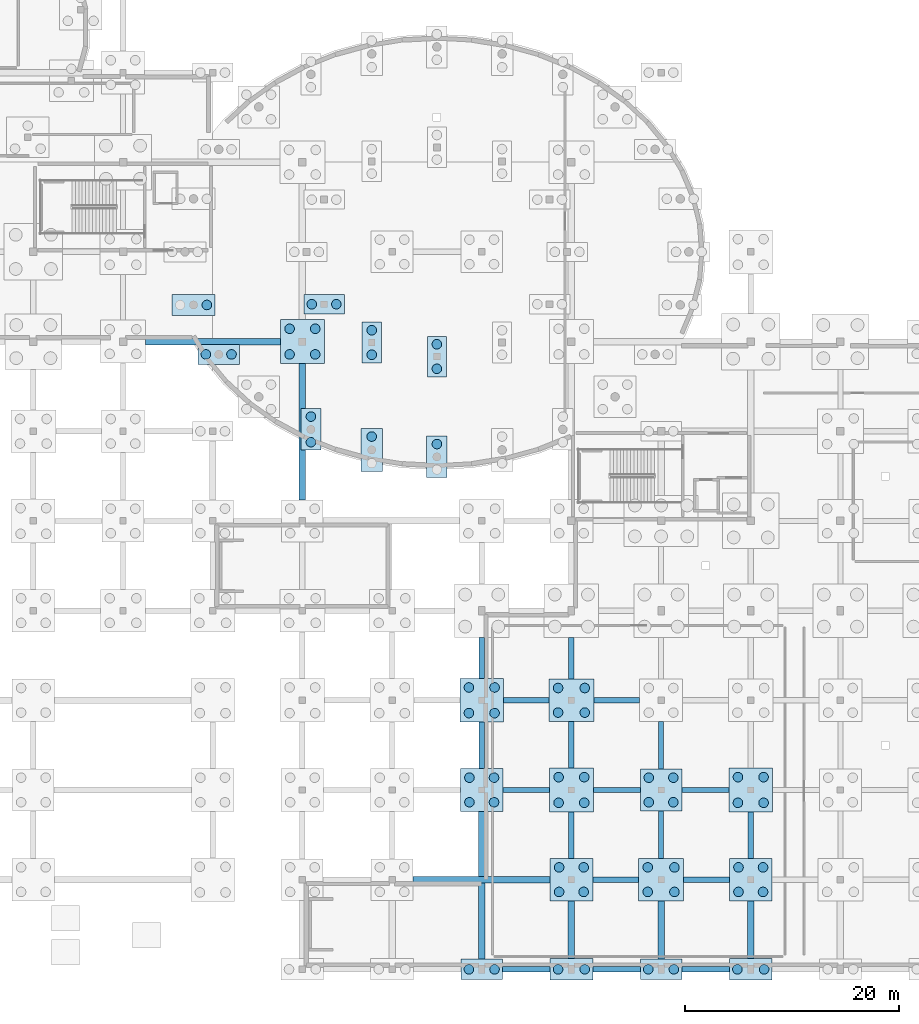
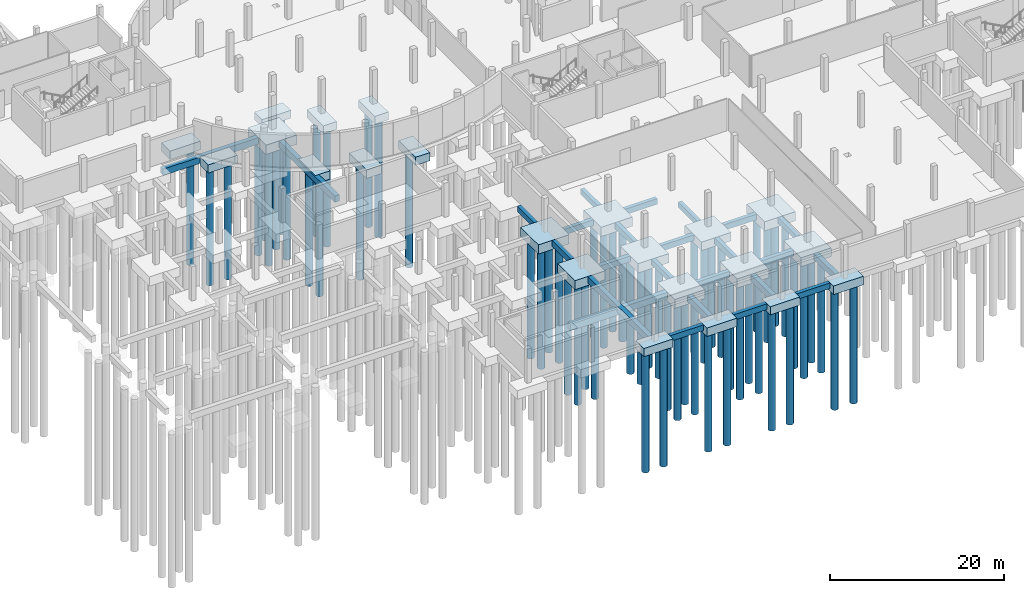
# One storey, part 3 of 24: 61 piles, 47 footings.
"""IFC4 building model written with IfcOpenShell, lengths in metres."""

from ifc_helpers import new_model, si_unit, derived_unit, direction, frame, origin, origin_2d, place, context, subcontext, project, spatial, rectangle, circle, extrude, material, layer, layer_set, material_profile, profile_set, type_object, element, save


model = new_model("IFC4")

# Units and contexts
model_context = context("Model", 3, precision=1e-05, world=origin(), true_north=direction((0.0, 1.0)))
body_context = subcontext(model_context, "Body", "Model", "MODEL_VIEW")
ifc_project = project(units=[si_unit("LENGTHUNIT", "METRE"), si_unit("AREAUNIT", "SQUARE_METRE"), si_unit("VOLUMEUNIT", "CUBIC_METRE"), si_unit("PLANEANGLEUNIT", "RADIAN"), si_unit("MASSUNIT", "GRAM", prefix="KILO"), derived_unit("THERMALTRANSMITTANCEUNIT", [(si_unit("POWERUNIT", "WATT"), 1), (si_unit("LENGTHUNIT", "METRE"), -2), (si_unit("THERMODYNAMICTEMPERATUREUNIT", "KELVIN"), -1)])], contexts=[model_context])

# Site, building, storey
site_placement = place(None, origin())
site = spatial("IfcSite", under=ifc_project, at=site_placement, CompositionType="ELEMENT")
building_placement = place(site_placement, origin())
building = spatial("IfcBuilding", under=site, at=building_placement, Name="Elbkamm Science Centre", CompositionType="ELEMENT")
storey_placement = place(building_placement, frame((0.0, 0.0, -4.800048828125)))
storey = spatial("IfcBuildingStorey", under=building, at=storey_placement, Name="B01", CompositionType="ELEMENT", Elevation=-4.800048828125)

# Footings
ifc_material = material(Name="Concrete C35/45", Category="concrete")
footing_type_1 = type_object("IfcFootingType", Name="FTG-TIE-500x800", PredefinedType="FOOTING_BEAM", material=ifc_material)
for number, where, z_axis, x_axis, name in (
    (1, (71.375, 0.0, -0.7998046875), (0.0, 0.0, 1.0), (1.0, 0.0, 0.0), "Substructure Ground Tie Beam X-003"),
    (2, (79.824951171875, 0.0, -0.7998046875), (0.0, 0.0, 1.0), (1.0, 0.0, 0.0), "Substructure Ground Tie Beam X-004"),
    (3, (88.175048828125, 0.0, -0.7998046875), (0.0, 0.0, 1.0), (1.0, 0.0, 0.0), "Substructure Ground Tie Beam X-005"),
):
    element("IfcFooting", number, at=place(storey_placement, frame(where, z_axis=z_axis, x_axis=x_axis)), inside=storey, type_object=footing_type_1, Name=name, PredefinedType="FOOTING_BEAM", context=body_context, shape_type="SweptSolid", body=[
        extrude(rectangle(XDim=4.449951171875, YDim=0.5, at=origin_2d()), origin(), (0.0, 0.0, 1.0), 0.800048828125),
    ])
for number, where, z_axis, x_axis, name in (
    (4, (79.75, 8.39990234375, -1.2998046875), (0.0, 0.0, 1.0), (1.0, 0.0, 0.0), "Substructure Ground Tie Beam X-013"),
    (5, (88.25, 8.39990234375, -1.2998046875), (0.0, 0.0, 1.0), (1.0, 0.0, 0.0), "Substructure Ground Tie Beam X-014"),
):
    element("IfcFooting", number, at=place(storey_placement, frame(where, z_axis=z_axis, x_axis=x_axis)), inside=storey, type_object=footing_type_1, Name=name, PredefinedType="FOOTING_BEAM", context=body_context, shape_type="SweptSolid", body=[
        extrude(rectangle(XDim=4.300048828125, YDim=0.5, at=origin_2d()), origin(), (0.0, 0.0, 1.0), 0.800048828125),
    ])
footing_1_placement = place(storey_placement, frame((71.375, 16.800048828125, -1.2998046875), z_axis=(0.0, 0.0, 1.0), x_axis=(1.0, 0.0, 0.0)))
element("IfcFooting", 6, at=footing_1_placement, inside=storey, type_object=footing_type_1, Name="Substructure Ground Tie Beam X-023", PredefinedType="FOOTING_BEAM", context=body_context, shape_type="SweptSolid", body=[
    extrude(rectangle(XDim=4.35009765625, YDim=0.5, at=origin_2d()), origin(), (0.0, 0.0, 1.0), 0.800048828125),
])
for number, where, z_axis, x_axis, name in (
    (7, (79.85009765625, 16.800048828125, -1.2998046875), (0.0, 0.0, 1.0), (1.0, 0.0, 0.0), "Substructure Ground Tie Beam X-024"),
    (8, (88.14990234375, 16.800048828125, -1.2998046875), (0.0, 0.0, 1.0), (1.0, 0.0, 0.0), "Substructure Ground Tie Beam X-025"),
):
    element("IfcFooting", number, at=place(storey_placement, frame(where, z_axis=z_axis, x_axis=x_axis)), inside=storey, type_object=footing_type_1, Name=name, PredefinedType="FOOTING_BEAM", context=body_context, shape_type="SweptSolid", body=[
        extrude(rectangle(XDim=4.39990234375, YDim=0.5, at=origin_2d()), origin(), (0.0, 0.0, 1.0), 0.800048828125),
    ])
footing_2_placement = place(storey_placement, frame((71.375, 25.199951171875, -1.2998046875), z_axis=(0.0, 0.0, 1.0), x_axis=(1.0, 0.0, 0.0)))
element("IfcFooting", 9, at=footing_2_placement, inside=storey, type_object=footing_type_1, Name="Substructure Ground Tie Beam X-033", PredefinedType="FOOTING_BEAM", context=body_context, shape_type="SweptSolid", body=[
    extrude(rectangle(XDim=4.25, YDim=0.5, at=origin_2d()), origin(), (0.0, 0.0, 1.0), 0.800048828125),
])
footing_3_placement = place(storey_placement, frame((79.85009765625, 25.199951171875, -1.2998046875), z_axis=(0.0, 0.0, 1.0), x_axis=(1.0, 0.0, 0.0)))
element("IfcFooting", 10, at=footing_3_placement, inside=storey, type_object=footing_type_1, Name="Substructure Ground Tie Beam X-034", PredefinedType="FOOTING_BEAM", context=body_context, shape_type="SweptSolid", body=[
    extrude(rectangle(XDim=4.300048828125, YDim=0.5, at=origin_2d()), origin(), (0.0, 0.0, 1.0), 0.800048828125),
])
footing_4_placement = place(storey_placement, frame((67.199951171875, 20.97509765625, -0.7998046875), z_axis=(0.0, 0.0, 1.0), x_axis=(1.0, 0.0, 0.0)))
element("IfcFooting", 11, at=footing_4_placement, inside=storey, type_object=footing_type_1, Name="Substructure Ground Tie Beam Y-163", PredefinedType="FOOTING_BEAM", context=body_context, shape_type="SweptSolid", body=[
    extrude(rectangle(XDim=0.5, YDim=4.35009765625, at=origin_2d()), origin(), (0.0, 0.0, 1.0), 0.800048828125),
])
footing_5_placement = place(storey_placement, frame((67.199951171875, 29.175048828125, -0.7998046875), z_axis=(0.0, 0.0, 1.0), x_axis=(1.0, 0.0, 0.0)))
element("IfcFooting", 12, at=footing_5_placement, inside=storey, type_object=footing_type_1, Name="Substructure Ground Tie Beam Y-164", PredefinedType="FOOTING_BEAM", context=body_context, shape_type="SweptSolid", body=[
    extrude(rectangle(XDim=0.5, YDim=3.85009765625, at=origin_2d()), origin(), (0.0, 0.0, 1.0), 0.800048828125),
])
for number, where, z_axis, x_axis, name in (
    (13, (75.60009765625, 12.574951171875, -1.2998046875), (0.0, 0.0, 1.0), (1.0, 0.0, 0.0), "Substructure Ground Tie Beam Y-167"),
    (14, (75.60009765625, 21.02490234375, -1.2998046875), (0.0, 0.0, 1.0), (1.0, 0.0, 0.0), "Substructure Ground Tie Beam Y-168"),
):
    element("IfcFooting", number, at=place(storey_placement, frame(where, z_axis=z_axis, x_axis=x_axis)), inside=storey, type_object=footing_type_1, Name=name, PredefinedType="FOOTING_BEAM", context=body_context, shape_type="SweptSolid", body=[
        extrude(rectangle(XDim=0.5, YDim=4.35009765625, at=origin_2d()), origin(), (0.0, 0.0, 1.0), 0.800048828125),
    ])
footing_6_placement = place(storey_placement, frame((75.60009765625, 29.14990234375, -1.2998046875), z_axis=(0.0, 0.0, 1.0), x_axis=(1.0, 0.0, 0.0)))
element("IfcFooting", 15, at=footing_6_placement, inside=storey, type_object=footing_type_1, Name="Substructure Ground Tie Beam Y-169", PredefinedType="FOOTING_BEAM", context=body_context, shape_type="SweptSolid", body=[
    extrude(rectangle(XDim=0.5, YDim=3.89990234375, at=origin_2d()), origin(), (0.0, 0.0, 1.0), 0.800048828125),
])
for number, where, z_axis, x_axis, name in (
    (16, (84.0, 12.625, -1.2998046875), (0.0, 0.0, 1.0), (1.0, 0.0, 0.0), "Substructure Ground Tie Beam Y-174"),
    (17, (84.0, 20.97509765625, -1.2998046875), (0.0, 0.0, 1.0), (1.0, 0.0, 0.0), "Substructure Ground Tie Beam Y-175"),
):
    element("IfcFooting", number, at=place(storey_placement, frame(where, z_axis=z_axis, x_axis=x_axis)), inside=storey, type_object=footing_type_1, Name=name, PredefinedType="FOOTING_BEAM", context=body_context, shape_type="SweptSolid", body=[
        extrude(rectangle(XDim=0.5, YDim=4.449951171875, at=origin_2d()), origin(), (0.0, 0.0, 1.0), 0.800048828125),
    ])
footing_7_placement = place(storey_placement, frame((92.39990234375, 12.574951171875, -1.2998046875), z_axis=(0.0, 0.0, 1.0), x_axis=(1.0, 0.0, 0.0)))
element("IfcFooting", 18, at=footing_7_placement, inside=storey, type_object=footing_type_1, Name="Substructure Ground Tie Beam Y-180", PredefinedType="FOOTING_BEAM", context=body_context, shape_type="SweptSolid", body=[
    extrude(rectangle(XDim=0.5, YDim=4.35009765625, at=origin_2d()), origin(), (0.0, 0.0, 1.0), 0.800048828125),
])
footing_type_2 = type_object("IfcFootingType", Name="FTG-TIE-600x900", PredefinedType="FOOTING_BEAM", material=ifc_material)
footing_8_placement = place(storey_placement, frame((67.175048828125, 8.39990234375, -1.39990234375), z_axis=(0.0, 0.0, 1.0), x_axis=(1.0, 0.0, 0.0)))
element("IfcFooting", 19, at=footing_8_placement, inside=storey, type_object=footing_type_2, Name="Substructure Ground Tie Beam X-012", PredefinedType="FOOTING_BEAM", context=body_context, shape_type="SweptSolid", body=[
    extrude(rectangle(XDim=12.85009765625, YDim=0.60009765625, at=origin_2d()), origin(), (0.0, 0.0, 1.0), 0.89990234375),
])
footing_9_placement = place(storey_placement, frame((42.02490234375, 58.800048828125, -1.39990234375), z_axis=(0.0, 0.0, 1.0), x_axis=(1.0, 0.0, 0.0)))
element("IfcFooting", 20, at=footing_9_placement, inside=storey, type_object=footing_type_2, Name="Substructure Ground Tie Beam X-083", PredefinedType="FOOTING_BEAM", context=body_context, shape_type="SweptSolid", body=[
    extrude(rectangle(XDim=12.64990234375, YDim=0.60009765625, at=origin_2d()), origin(), (0.0, 0.0, 1.0), 0.89990234375),
])
footing_10_placement = place(storey_placement, frame((50.39990234375, 50.35009765625, -1.39990234375), z_axis=(0.0, 0.0, 1.0), x_axis=(1.0, 0.0, 0.0)))
element("IfcFooting", 21, at=footing_10_placement, inside=storey, type_object=footing_type_2, Name="Substructure Ground Tie Beam Y-156", PredefinedType="FOOTING_BEAM", context=body_context, shape_type="SweptSolid", body=[
    extrude(rectangle(XDim=0.60009765625, YDim=12.800048828125, at=origin_2d()), origin(), (0.0, 0.0, 1.0), 0.89990234375),
])
footing_11_placement = place(storey_placement, frame((67.199951171875, 7.875, -0.89990234375), z_axis=(0.0, 0.0, 1.0), x_axis=(1.0, 0.0, 0.0)))
element("IfcFooting", 22, at=footing_11_placement, inside=storey, type_object=footing_type_2, Name="Substructure Ground Tie Beam Y-162", PredefinedType="FOOTING_BEAM", context=body_context, shape_type="SweptSolid", body=[
    extrude(rectangle(XDim=0.60009765625, YDim=13.85009765625, at=origin_2d()), origin(), (0.0, 0.0, 1.0), 0.89990234375),
])
footing_12_placement = place(storey_placement, frame((75.60009765625, 3.699951171875, -1.39990234375), z_axis=(0.0, 0.0, 1.0), x_axis=(1.0, 0.0, 0.0)))
element("IfcFooting", 23, at=footing_12_placement, inside=storey, type_object=footing_type_2, Name="Substructure Ground Tie Beam Y-166", PredefinedType="FOOTING_BEAM", context=body_context, shape_type="SweptSolid", body=[
    extrude(rectangle(XDim=0.60009765625, YDim=5.39990234375, at=origin_2d()), origin(), (0.0, 0.0, 1.0), 0.89990234375),
])
footing_13_placement = place(storey_placement, frame((84.0, 3.675048828125, -1.39990234375), z_axis=(0.0, 0.0, 1.0), x_axis=(1.0, 0.0, 0.0)))
element("IfcFooting", 24, at=footing_13_placement, inside=storey, type_object=footing_type_2, Name="Substructure Ground Tie Beam Y-173", PredefinedType="FOOTING_BEAM", context=body_context, shape_type="SweptSolid", body=[
    extrude(rectangle(XDim=0.60009765625, YDim=5.449951171875, at=origin_2d()), origin(), (0.0, 0.0, 1.0), 0.89990234375),
])
footing_14_placement = place(storey_placement, frame((92.39990234375, 3.699951171875, -1.39990234375), z_axis=(0.0, 0.0, 1.0), x_axis=(1.0, 0.0, 0.0)))
element("IfcFooting", 25, at=footing_14_placement, inside=storey, type_object=footing_type_2, Name="Substructure Ground Tie Beam Y-179", PredefinedType="FOOTING_BEAM", context=body_context, shape_type="SweptSolid", body=[
    extrude(rectangle(XDim=0.60009765625, YDim=5.39990234375, at=origin_2d()), origin(), (0.0, 0.0, 1.0), 0.89990234375),
])
ifc_layer_1 = layer(ifc_material, 1.10009765625)
ifc_layer_set_1 = layer_set([ifc_layer_1], Name="Concrete C35/45")
footing_type_3 = type_object("IfcFootingType", Name="PC-2P-180x380x110", PredefinedType="PILE_CAP", material=ifc_layer_set_1)
for number, where, z_axis, x_axis, name in (
    (26, (56.89990234375, 58.712890625, -1.60009765625), (0.0, 0.0, 1.0), (1.0, 0.0, 0.0), "Pile Cap SH-IN-09"),
    (27, (63.0, 57.39990234375, -1.60009765625), (0.0, 0.0, 1.0), (1.0, 0.0, 0.0), "Pile Cap SH-IN-10"),
):
    element("IfcFooting", number, at=place(storey_placement, frame(where, z_axis=z_axis, x_axis=x_axis)), inside=storey, type_object=footing_type_3, Name=name, PredefinedType="PILE_CAP", context=body_context, shape_type="SweptSolid", body=[
        extrude(rectangle(XDim=1.800048828125, YDim=3.800048828125, at=origin_2d()), origin(), (0.0, 0.0, 1.0), 1.10009765625),
    ])
ifc_layer_2 = layer(ifc_material, 1.14990234375)
ifc_layer_set_2 = layer_set([ifc_layer_2], Name="Concrete C35/45")
footing_type_4 = type_object("IfcFootingType", Name="PC-2P-190x390x115", PredefinedType="PILE_CAP", material=ifc_layer_set_2)
for number, where, z_axis, x_axis, name in (
    (28, (51.199951171875, 50.572021484375, -1.64990234375), (0.0, 0.0, 1.0), (1.0, 0.0, 0.0), "Pile Cap SH-OUT-17"),
    (29, (63.0, 48.0, -1.64990234375), (0.0, 0.0, 1.0), (1.0, 0.0, 0.0), "Pile Cap SH-OUT-19"),
):
    element("IfcFooting", number, at=place(storey_placement, frame(where, z_axis=z_axis, x_axis=x_axis)), inside=storey, type_object=footing_type_4, Name=name, PredefinedType="PILE_CAP", context=body_context, shape_type="SweptSolid", body=[
        extrude(rectangle(XDim=1.89990234375, YDim=3.89990234375, at=origin_2d()), origin(), (0.0, 0.0, 1.0), 1.14990234375),
    ])
ifc_layer_3 = layer(ifc_material, 1.199951171875)
ifc_layer_set_3 = layer_set([ifc_layer_3], Name="Concrete C35/45")
footing_type_5 = type_object("IfcFootingType", Name="PC-2P-200x400x120", PredefinedType="PILE_CAP", material=ifc_layer_set_3)
footing_15_placement = place(storey_placement, frame((56.89208984375, 48.654052734375, -1.69970703125), z_axis=(0.0, 0.0, 1.0), x_axis=(1.0, 0.0, 0.0)))
element("IfcFooting", 30, at=footing_15_placement, inside=storey, type_object=footing_type_5, Name="Pile Cap SH-OUT-18", PredefinedType="PILE_CAP", context=body_context, shape_type="SweptSolid", body=[
    extrude(rectangle(XDim=2.0, YDim=4.0, at=origin_2d()), origin(), (0.0, 0.0, 1.0), 1.199951171875),
])
ifc_layer_4 = layer(ifc_material, 1.10009765625)
ifc_layer_set_4 = layer_set([ifc_layer_4], Name="Concrete C35/45")
footing_type_6 = type_object("IfcFootingType", Name="PC-2P-380x180x110", PredefinedType="PILE_CAP", material=ifc_layer_set_4)
footing_16_placement = place(storey_placement, frame((52.43408203125, 62.300048828125, -1.60009765625), z_axis=(0.0, 0.0, 1.0), x_axis=(1.0, 0.0, 0.0)))
element("IfcFooting", 31, at=footing_16_placement, inside=storey, type_object=footing_type_6, Name="Pile Cap SH-IN-08", PredefinedType="PILE_CAP", context=body_context, shape_type="SweptSolid", body=[
    extrude(rectangle(XDim=3.800048828125, YDim=1.800048828125, at=origin_2d()), origin(), (0.0, 0.0, 1.0), 1.10009765625),
])
ifc_layer_5 = layer(ifc_material, 1.14990234375)
ifc_layer_set_5 = layer_set([ifc_layer_5], Name="Concrete C35/45")
footing_type_7 = type_object("IfcFootingType", Name="PC-2P-390x190x115", PredefinedType="PILE_CAP", material=ifc_layer_set_5)
for number, where, z_axis, x_axis, name in (
    (32, (42.56201171875, 57.60009765625, -1.64990234375), (0.0, 0.0, 1.0), (1.0, 0.0, 0.0), "Pile Cap SH-OUT-15"),
    (33, (67.199951171875, 0.0, -1.14990234375), (0.0, 0.0, 1.0), (1.0, 0.0, 0.0), "Pile Cap TH-PIER-S01"),
    (34, (84.0, 0.0, -1.14990234375), (0.0, 0.0, 1.0), (1.0, 0.0, 0.0), "Pile Cap TH-PIER-S03"),
):
    element("IfcFooting", number, at=place(storey_placement, frame(where, z_axis=z_axis, x_axis=x_axis)), inside=storey, type_object=footing_type_7, Name=name, PredefinedType="PILE_CAP", context=body_context, shape_type="SweptSolid", body=[
        extrude(rectangle(XDim=3.89990234375, YDim=1.89990234375, at=origin_2d()), origin(), (0.0, 0.0, 1.0), 1.14990234375),
    ])
ifc_layer_6 = layer(ifc_material, 1.199951171875)
ifc_layer_set_6 = layer_set([ifc_layer_6], Name="Concrete C35/45")
footing_type_8 = type_object("IfcFootingType", Name="PC-2P-400x200x120", PredefinedType="PILE_CAP", material=ifc_layer_set_6)
for number, where, z_axis, x_axis, name in (
    (35, (40.2041015625, 62.23095703125, -1.69970703125), (0.0, 0.0, 1.0), (1.0, 0.0, 0.0), "Pile Cap SH-OUT-14"),
    (36, (75.60009765625, 0.0, -1.19970703125), (0.0, 0.0, 1.0), (1.0, 0.0, 0.0), "Pile Cap TH-PIER-S02"),
    (37, (92.39990234375, 0.0, -1.19970703125), (0.0, 0.0, 1.0), (1.0, 0.0, 0.0), "Pile Cap TH-PIER-S04"),
):
    element("IfcFooting", number, at=place(storey_placement, frame(where, z_axis=z_axis, x_axis=x_axis)), inside=storey, type_object=footing_type_8, Name=name, PredefinedType="PILE_CAP", context=body_context, shape_type="SweptSolid", body=[
        extrude(rectangle(XDim=4.0, YDim=2.0, at=origin_2d()), origin(), (0.0, 0.0, 1.0), 1.199951171875),
    ])
ifc_layer_7 = layer(ifc_material, 1.199951171875)
ifc_layer_set_7 = layer_set([ifc_layer_7], Name="Concrete C35/45")
footing_type_9 = type_object("IfcFootingType", Name="PC-4P-390x390x120", PredefinedType="PILE_CAP", material=ifc_layer_set_7)
footing_17_placement = place(storey_placement, frame((84.0, 16.800048828125, -1.69970703125), z_axis=(0.0, 0.0, 1.0), x_axis=(1.0, 0.0, 0.0)))
element("IfcFooting", 38, at=footing_17_placement, inside=storey, type_object=footing_type_9, Name="Pile Cap GRID-11-C", PredefinedType="PILE_CAP", context=body_context, shape_type="SweptSolid", body=[
    extrude(rectangle(XDim=3.89990234375, YDim=3.89990234375, at=origin_2d()), origin(), (0.0, 0.0, 1.0), 1.199951171875),
])
ifc_layer_8 = layer(ifc_material, 1.25)
ifc_layer_set_8 = layer_set([ifc_layer_8], Name="Concrete C35/45")
footing_type_10 = type_object("IfcFootingType", Name="PC-4P-400x400x125", PredefinedType="PILE_CAP", material=ifc_layer_set_8)
for number, where, z_axis, x_axis, name in (
    (39, (67.199951171875, 16.800048828125, -1.25), (0.0, 0.0, 1.0), (1.0, 0.0, 0.0), "Pile Cap GRID-9-C"),
    (40, (75.60009765625, 8.39990234375, -1.75), (0.0, 0.0, 1.0), (1.0, 0.0, 0.0), "Pile Cap GRID-10-B"),
    (41, (92.39990234375, 8.39990234375, -1.75), (0.0, 0.0, 1.0), (1.0, 0.0, 0.0), "Pile Cap GRID-12-B"),
):
    element("IfcFooting", number, at=place(storey_placement, frame(where, z_axis=z_axis, x_axis=x_axis)), inside=storey, type_object=footing_type_10, Name=name, PredefinedType="PILE_CAP", context=body_context, shape_type="SweptSolid", body=[
        extrude(rectangle(XDim=4.0, YDim=4.0, at=origin_2d()), origin(), (0.0, 0.0, 1.0), 1.25),
    ])
ifc_layer_9 = layer(ifc_material, 1.300048828125)
ifc_layer_set_9 = layer_set([ifc_layer_9], Name="Concrete C35/45")
footing_type_11 = type_object("IfcFootingType", Name="PC-4P-410x410x130", PredefinedType="PILE_CAP", material=ifc_layer_set_9)
for number, where, z_axis, x_axis, name in (
    (42, (50.39990234375, 58.800048828125, -1.7998046875), (0.0, 0.0, 1.0), (1.0, 0.0, 0.0), "Pile Cap GRID-7-H"),
    (43, (67.199951171875, 25.199951171875, -1.2998046875), (0.0, 0.0, 1.0), (1.0, 0.0, 0.0), "Pile Cap GRID-9-D"),
    (44, (75.60009765625, 16.800048828125, -1.7998046875), (0.0, 0.0, 1.0), (1.0, 0.0, 0.0), "Pile Cap GRID-10-C"),
    (45, (92.39990234375, 16.800048828125, -1.7998046875), (0.0, 0.0, 1.0), (1.0, 0.0, 0.0), "Pile Cap GRID-12-C"),
):
    element("IfcFooting", number, at=place(storey_placement, frame(where, z_axis=z_axis, x_axis=x_axis)), inside=storey, type_object=footing_type_11, Name=name, PredefinedType="PILE_CAP", context=body_context, shape_type="SweptSolid", body=[
        extrude(rectangle(XDim=4.10009765625, YDim=4.10009765625, at=origin_2d()), origin(), (0.0, 0.0, 1.0), 1.300048828125),
    ])
ifc_layer_10 = layer(ifc_material, 1.300048828125)
ifc_layer_set_10 = layer_set([ifc_layer_10], Name="Concrete C35/45")
footing_type_12 = type_object("IfcFootingType", Name="PC-4P-420x400x130", PredefinedType="PILE_CAP", material=ifc_layer_set_10)
for number, where, z_axis, x_axis, name in (
    (46, (75.60009765625, 25.199951171875, -1.7998046875), (0.0, 0.0, 1.0), (1.0, 0.0, 0.0), "Pile Cap GRID-10-D"),
    (47, (84.0, 8.39990234375, -1.7998046875), (0.0, 0.0, 1.0), (1.0, 0.0, 0.0), "Pile Cap GRID-11-B"),
):
    element("IfcFooting", number, at=place(storey_placement, frame(where, z_axis=z_axis, x_axis=x_axis)), inside=storey, type_object=footing_type_12, Name=name, PredefinedType="PILE_CAP", context=body_context, shape_type="SweptSolid", body=[
        extrude(rectangle(XDim=4.199951171875, YDim=4.0, at=origin_2d()), origin(), (0.0, 0.0, 1.0), 1.300048828125),
    ])

# Piles
ifc_material_profile = material_profile(ifc_material, circle(Radius=0.449951171875, at=origin_2d()), Name="PILE D900")
ifc_profile_set = profile_set([ifc_material_profile], Name="Concrete C35/45")
pile_type = type_object("IfcPileType", Name="PILE-BORED-900", PredefinedType="BORED", material=ifc_profile_set)
pile_1_placement = place(storey_placement, frame((41.4541015625, 62.23095703125, -1.599853515625), z_axis=(0.0, 0.0, -1.0), x_axis=(1.0, 0.0, 0.0)))
element("IfcPile", 48, at=pile_1_placement, inside=storey, type_object=pile_type, Name="Bored Pile SH-OUT-14-2", PredefinedType="BORED", context=body_context, shape_type="SweptSolid", body=[
    extrude(circle(Radius=0.449951171875, at=origin_2d()), origin(), (0.0, 0.0, 1.0), 16.39990234375),
])
for number, where, z_axis, x_axis, name in (
    (49, (41.362060546875, 57.60009765625, -1.550048828125), (0.0, 0.0, -1.0), (1.0, 0.0, 0.0), "Bored Pile SH-OUT-15-1"),
    (50, (43.761962890625, 57.60009765625, -1.550048828125), (0.0, 0.0, -1.0), (1.0, 0.0, 0.0), "Bored Pile SH-OUT-15-2"),
    (51, (51.199951171875, 49.3720703125, -1.550048828125), (0.0, 0.0, -1.0), (1.0, 0.0, 0.0), "Bored Pile SH-OUT-17-1"),
    (52, (51.199951171875, 51.77197265625, -1.550048828125), (0.0, 0.0, -1.0), (1.0, 0.0, 0.0), "Bored Pile SH-OUT-17-2"),
):
    element("IfcPile", number, at=place(storey_placement, frame(where, z_axis=z_axis, x_axis=x_axis)), inside=storey, type_object=pile_type, Name=name, PredefinedType="BORED", context=body_context, shape_type="SweptSolid", body=[
        extrude(circle(Radius=0.449951171875, at=origin_2d()), origin(), (0.0, 0.0, 1.0), 16.449951171875),
    ])
pile_2_placement = place(storey_placement, frame((56.89208984375, 49.904052734375, -1.599853515625), z_axis=(0.0, 0.0, -1.0), x_axis=(1.0, 0.0, 0.0)))
element("IfcPile", 53, at=pile_2_placement, inside=storey, type_object=pile_type, Name="Bored Pile SH-OUT-18-2", PredefinedType="BORED", context=body_context, shape_type="SweptSolid", body=[
    extrude(circle(Radius=0.449951171875, at=origin_2d()), origin(), (0.0, 0.0, 1.0), 16.39990234375),
])
pile_3_placement = place(storey_placement, frame((63.0, 49.199951171875, -1.550048828125), z_axis=(0.0, 0.0, -1.0), x_axis=(1.0, 0.0, 0.0)))
element("IfcPile", 54, at=pile_3_placement, inside=storey, type_object=pile_type, Name="Bored Pile SH-OUT-19-2", PredefinedType="BORED", context=body_context, shape_type="SweptSolid", body=[
    extrude(circle(Radius=0.449951171875, at=origin_2d()), origin(), (0.0, 0.0, 1.0), 16.449951171875),
])
for number, where, z_axis, x_axis, name in (
    (55, (51.283935546875, 62.300048828125, -1.5), (0.0, 0.0, -1.0), (1.0, 0.0, 0.0), "Bored Pile SH-IN-08-1"),
    (56, (53.583984375, 62.300048828125, -1.5), (0.0, 0.0, -1.0), (1.0, 0.0, 0.0), "Bored Pile SH-IN-08-2"),
    (57, (56.89990234375, 57.56298828125, -1.5), (0.0, 0.0, -1.0), (1.0, 0.0, 0.0), "Bored Pile SH-IN-09-1"),
    (58, (56.89990234375, 59.863037109375, -1.5), (0.0, 0.0, -1.0), (1.0, 0.0, 0.0), "Bored Pile SH-IN-09-2"),
    (59, (63.0, 56.25, -1.5), (0.0, 0.0, -1.0), (1.0, 0.0, 0.0), "Bored Pile SH-IN-10-1"),
    (60, (63.0, 58.550048828125, -1.5), (0.0, 0.0, -1.0), (1.0, 0.0, 0.0), "Bored Pile SH-IN-10-2"),
):
    element("IfcPile", number, at=place(storey_placement, frame(where, z_axis=z_axis, x_axis=x_axis)), inside=storey, type_object=pile_type, Name=name, PredefinedType="BORED", context=body_context, shape_type="SweptSolid", body=[
        extrude(circle(Radius=0.449951171875, at=origin_2d()), origin(), (0.0, 0.0, 1.0), 16.5),
    ])
for number, where, z_axis, x_axis, name in (
    (61, (66.0, 0.0, -1.050048828125), (0.0, 0.0, -1.0), (1.0, 0.0, 0.0), "Bored Pile TH-PIER-S01-1"),
    (62, (68.39990234375, 0.0, -1.050048828125), (0.0, 0.0, -1.0), (1.0, 0.0, 0.0), "Bored Pile TH-PIER-S01-2"),
):
    element("IfcPile", number, at=place(storey_placement, frame(where, z_axis=z_axis, x_axis=x_axis)), inside=storey, type_object=pile_type, Name=name, PredefinedType="BORED", context=body_context, shape_type="SweptSolid", body=[
        extrude(circle(Radius=0.449951171875, at=origin_2d()), origin(), (0.0, 0.0, 1.0), 16.949951171875),
    ])
for number, where, z_axis, x_axis, name in (
    (63, (74.35009765625, 0.0, -1.099853515625), (0.0, 0.0, -1.0), (1.0, 0.0, 0.0), "Bored Pile TH-PIER-S02-1"),
    (64, (76.85009765625, 0.0, -1.099853515625), (0.0, 0.0, -1.0), (1.0, 0.0, 0.0), "Bored Pile TH-PIER-S02-2"),
):
    element("IfcPile", number, at=place(storey_placement, frame(where, z_axis=z_axis, x_axis=x_axis)), inside=storey, type_object=pile_type, Name=name, PredefinedType="BORED", context=body_context, shape_type="SweptSolid", body=[
        extrude(circle(Radius=0.449951171875, at=origin_2d()), origin(), (0.0, 0.0, 1.0), 16.89990234375),
    ])
for number, where, z_axis, x_axis, name in (
    (65, (82.800048828125, 0.0, -1.050048828125), (0.0, 0.0, -1.0), (1.0, 0.0, 0.0), "Bored Pile TH-PIER-S03-1"),
    (66, (85.199951171875, 0.0, -1.050048828125), (0.0, 0.0, -1.0), (1.0, 0.0, 0.0), "Bored Pile TH-PIER-S03-2"),
):
    element("IfcPile", number, at=place(storey_placement, frame(where, z_axis=z_axis, x_axis=x_axis)), inside=storey, type_object=pile_type, Name=name, PredefinedType="BORED", context=body_context, shape_type="SweptSolid", body=[
        extrude(circle(Radius=0.449951171875, at=origin_2d()), origin(), (0.0, 0.0, 1.0), 16.949951171875),
    ])
for number, where, z_axis, x_axis, name in (
    (67, (91.14990234375, 0.0, -1.099853515625), (0.0, 0.0, -1.0), (1.0, 0.0, 0.0), "Bored Pile TH-PIER-S04-1"),
    (68, (93.64990234375, 0.0, -1.099853515625), (0.0, 0.0, -1.0), (1.0, 0.0, 0.0), "Bored Pile TH-PIER-S04-2"),
):
    element("IfcPile", number, at=place(storey_placement, frame(where, z_axis=z_axis, x_axis=x_axis)), inside=storey, type_object=pile_type, Name=name, PredefinedType="BORED", context=body_context, shape_type="SweptSolid", body=[
        extrude(circle(Radius=0.449951171875, at=origin_2d()), origin(), (0.0, 0.0, 1.0), 16.89990234375),
    ])
for number, where, z_axis, x_axis, name in (
    (69, (49.199951171875, 57.60009765625, -1.699951171875), (0.0, 0.0, -1.0), (1.0, 0.0, 0.0), "Bored Pile GRID-7-H-1"),
    (70, (51.60009765625, 57.60009765625, -1.699951171875), (0.0, 0.0, -1.0), (1.0, 0.0, 0.0), "Bored Pile GRID-7-H-2"),
    (71, (49.199951171875, 60.0, -1.699951171875), (0.0, 0.0, -1.0), (1.0, 0.0, 0.0), "Bored Pile GRID-7-H-3"),
    (72, (51.60009765625, 60.0, -1.699951171875), (0.0, 0.0, -1.0), (1.0, 0.0, 0.0), "Bored Pile GRID-7-H-4"),
):
    element("IfcPile", number, at=place(storey_placement, frame(where, z_axis=z_axis, x_axis=x_axis)), inside=storey, type_object=pile_type, Name=name, PredefinedType="BORED", context=body_context, shape_type="SweptSolid", body=[
        extrude(circle(Radius=0.449951171875, at=origin_2d()), origin(), (0.0, 0.0, 1.0), 16.300048828125),
    ])
for number, where, z_axis, x_axis, name in (
    (73, (66.050048828125, 15.64990234375, -1.14990234375), (0.0, 0.0, -1.0), (1.0, 0.0, 0.0), "Bored Pile GRID-9-C-1"),
    (74, (68.35009765625, 15.64990234375, -1.14990234375), (0.0, 0.0, -1.0), (1.0, 0.0, 0.0), "Bored Pile GRID-9-C-2"),
    (75, (66.050048828125, 17.949951171875, -1.14990234375), (0.0, 0.0, -1.0), (1.0, 0.0, 0.0), "Bored Pile GRID-9-C-3"),
    (76, (68.35009765625, 17.949951171875, -1.14990234375), (0.0, 0.0, -1.0), (1.0, 0.0, 0.0), "Bored Pile GRID-9-C-4"),
):
    element("IfcPile", number, at=place(storey_placement, frame(where, z_axis=z_axis, x_axis=x_axis)), inside=storey, type_object=pile_type, Name=name, PredefinedType="BORED", context=body_context, shape_type="SweptSolid", body=[
        extrude(circle(Radius=0.449951171875, at=origin_2d()), origin(), (0.0, 0.0, 1.0), 16.85009765625),
    ])
for number, where, z_axis, x_axis, name in (
    (77, (66.0, 24.0, -1.199951171875), (0.0, 0.0, -1.0), (1.0, 0.0, 0.0), "Bored Pile GRID-9-D-1"),
    (78, (68.39990234375, 24.0, -1.199951171875), (0.0, 0.0, -1.0), (1.0, 0.0, 0.0), "Bored Pile GRID-9-D-2"),
    (79, (66.0, 26.39990234375, -1.199951171875), (0.0, 0.0, -1.0), (1.0, 0.0, 0.0), "Bored Pile GRID-9-D-3"),
    (80, (68.39990234375, 26.39990234375, -1.199951171875), (0.0, 0.0, -1.0), (1.0, 0.0, 0.0), "Bored Pile GRID-9-D-4"),
):
    element("IfcPile", number, at=place(storey_placement, frame(where, z_axis=z_axis, x_axis=x_axis)), inside=storey, type_object=pile_type, Name=name, PredefinedType="BORED", context=body_context, shape_type="SweptSolid", body=[
        extrude(circle(Radius=0.449951171875, at=origin_2d()), origin(), (0.0, 0.0, 1.0), 16.800048828125),
    ])
for number, where, z_axis, x_axis, name in (
    (81, (74.449951171875, 7.25, -1.64990234375), (0.0, 0.0, -1.0), (1.0, 0.0, 0.0), "Bored Pile GRID-10-B-1"),
    (82, (76.75, 7.25, -1.64990234375), (0.0, 0.0, -1.0), (1.0, 0.0, 0.0), "Bored Pile GRID-10-B-2"),
    (83, (74.449951171875, 9.550048828125, -1.64990234375), (0.0, 0.0, -1.0), (1.0, 0.0, 0.0), "Bored Pile GRID-10-B-3"),
    (84, (76.75, 9.550048828125, -1.64990234375), (0.0, 0.0, -1.0), (1.0, 0.0, 0.0), "Bored Pile GRID-10-B-4"),
):
    element("IfcPile", number, at=place(storey_placement, frame(where, z_axis=z_axis, x_axis=x_axis)), inside=storey, type_object=pile_type, Name=name, PredefinedType="BORED", context=body_context, shape_type="SweptSolid", body=[
        extrude(circle(Radius=0.449951171875, at=origin_2d()), origin(), (0.0, 0.0, 1.0), 16.35009765625),
    ])
for number, where, z_axis, x_axis, name in (
    (85, (74.39990234375, 15.60009765625, -1.699951171875), (0.0, 0.0, -1.0), (1.0, 0.0, 0.0), "Bored Pile GRID-10-C-1"),
    (86, (76.800048828125, 15.60009765625, -1.699951171875), (0.0, 0.0, -1.0), (1.0, 0.0, 0.0), "Bored Pile GRID-10-C-2"),
    (87, (74.39990234375, 18.0, -1.699951171875), (0.0, 0.0, -1.0), (1.0, 0.0, 0.0), "Bored Pile GRID-10-C-3"),
    (88, (76.800048828125, 18.0, -1.699951171875), (0.0, 0.0, -1.0), (1.0, 0.0, 0.0), "Bored Pile GRID-10-C-4"),
    (89, (74.35009765625, 24.050048828125, -1.699951171875), (0.0, 0.0, -1.0), (1.0, 0.0, 0.0), "Bored Pile GRID-10-D-1"),
    (90, (76.85009765625, 24.050048828125, -1.699951171875), (0.0, 0.0, -1.0), (1.0, 0.0, 0.0), "Bored Pile GRID-10-D-2"),
    (91, (74.35009765625, 26.35009765625, -1.699951171875), (0.0, 0.0, -1.0), (1.0, 0.0, 0.0), "Bored Pile GRID-10-D-3"),
    (92, (76.85009765625, 26.35009765625, -1.699951171875), (0.0, 0.0, -1.0), (1.0, 0.0, 0.0), "Bored Pile GRID-10-D-4"),
    (93, (82.75, 7.25, -1.699951171875), (0.0, 0.0, -1.0), (1.0, 0.0, 0.0), "Bored Pile GRID-11-B-1"),
    (94, (85.25, 7.25, -1.699951171875), (0.0, 0.0, -1.0), (1.0, 0.0, 0.0), "Bored Pile GRID-11-B-2"),
    (95, (82.75, 9.550048828125, -1.699951171875), (0.0, 0.0, -1.0), (1.0, 0.0, 0.0), "Bored Pile GRID-11-B-3"),
    (96, (85.25, 9.550048828125, -1.699951171875), (0.0, 0.0, -1.0), (1.0, 0.0, 0.0), "Bored Pile GRID-11-B-4"),
):
    element("IfcPile", number, at=place(storey_placement, frame(where, z_axis=z_axis, x_axis=x_axis)), inside=storey, type_object=pile_type, Name=name, PredefinedType="BORED", context=body_context, shape_type="SweptSolid", body=[
        extrude(circle(Radius=0.449951171875, at=origin_2d()), origin(), (0.0, 0.0, 1.0), 16.300048828125),
    ])
for number, where, z_axis, x_axis, name in (
    (97, (82.85009765625, 15.64990234375, -1.599853515625), (0.0, 0.0, -1.0), (1.0, 0.0, 0.0), "Bored Pile GRID-11-C-1"),
    (98, (85.14990234375, 15.64990234375, -1.599853515625), (0.0, 0.0, -1.0), (1.0, 0.0, 0.0), "Bored Pile GRID-11-C-2"),
    (99, (82.85009765625, 17.949951171875, -1.599853515625), (0.0, 0.0, -1.0), (1.0, 0.0, 0.0), "Bored Pile GRID-11-C-3"),
    (100, (85.14990234375, 17.949951171875, -1.599853515625), (0.0, 0.0, -1.0), (1.0, 0.0, 0.0), "Bored Pile GRID-11-C-4"),
):
    element("IfcPile", number, at=place(storey_placement, frame(where, z_axis=z_axis, x_axis=x_axis)), inside=storey, type_object=pile_type, Name=name, PredefinedType="BORED", context=body_context, shape_type="SweptSolid", body=[
        extrude(circle(Radius=0.449951171875, at=origin_2d()), origin(), (0.0, 0.0, 1.0), 16.39990234375),
    ])
for number, where, z_axis, x_axis, name in (
    (101, (91.25, 7.25, -1.64990234375), (0.0, 0.0, -1.0), (1.0, 0.0, 0.0), "Bored Pile GRID-12-B-1"),
    (102, (93.550048828125, 7.25, -1.64990234375), (0.0, 0.0, -1.0), (1.0, 0.0, 0.0), "Bored Pile GRID-12-B-2"),
    (103, (91.25, 9.550048828125, -1.64990234375), (0.0, 0.0, -1.0), (1.0, 0.0, 0.0), "Bored Pile GRID-12-B-3"),
    (104, (93.550048828125, 9.550048828125, -1.64990234375), (0.0, 0.0, -1.0), (1.0, 0.0, 0.0), "Bored Pile GRID-12-B-4"),
):
    element("IfcPile", number, at=place(storey_placement, frame(where, z_axis=z_axis, x_axis=x_axis)), inside=storey, type_object=pile_type, Name=name, PredefinedType="BORED", context=body_context, shape_type="SweptSolid", body=[
        extrude(circle(Radius=0.449951171875, at=origin_2d()), origin(), (0.0, 0.0, 1.0), 16.35009765625),
    ])
for number, where, z_axis, x_axis, name in (
    (105, (91.199951171875, 15.60009765625, -1.699951171875), (0.0, 0.0, -1.0), (1.0, 0.0, 0.0), "Bored Pile GRID-12-C-1"),
    (106, (93.60009765625, 15.60009765625, -1.699951171875), (0.0, 0.0, -1.0), (1.0, 0.0, 0.0), "Bored Pile GRID-12-C-2"),
    (107, (91.199951171875, 18.0, -1.699951171875), (0.0, 0.0, -1.0), (1.0, 0.0, 0.0), "Bored Pile GRID-12-C-3"),
    (108, (93.60009765625, 18.0, -1.699951171875), (0.0, 0.0, -1.0), (1.0, 0.0, 0.0), "Bored Pile GRID-12-C-4"),
):
    element("IfcPile", number, at=place(storey_placement, frame(where, z_axis=z_axis, x_axis=x_axis)), inside=storey, type_object=pile_type, Name=name, PredefinedType="BORED", context=body_context, shape_type="SweptSolid", body=[
        extrude(circle(Radius=0.449951171875, at=origin_2d()), origin(), (0.0, 0.0, 1.0), 16.300048828125),
    ])

save(model, "model.ifc")
